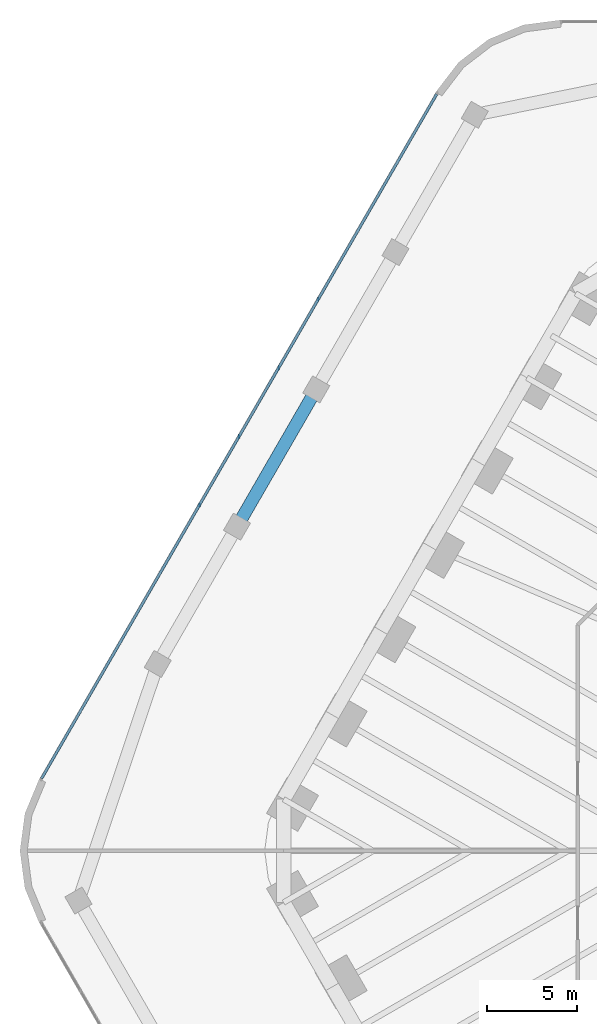
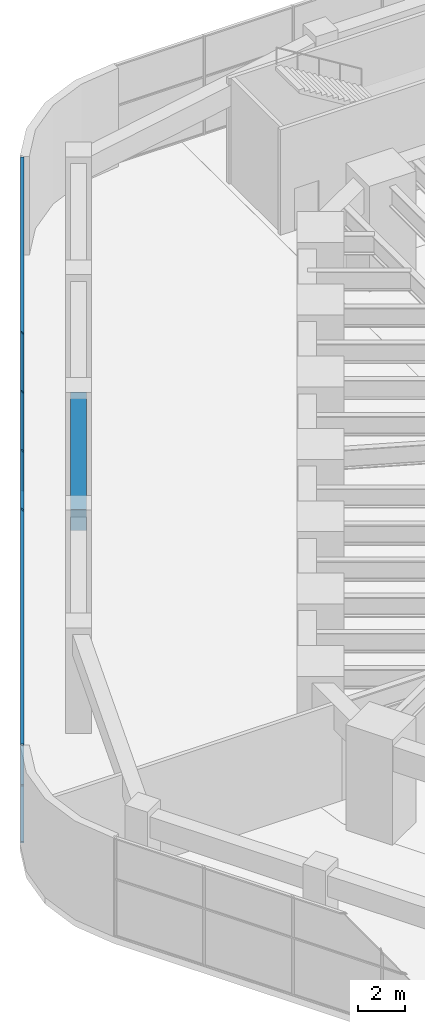
# One storey, part 15 of 31: 7 members, 1 beam, 1 element without a shape of its own.
"""IFC4 building model written with IfcOpenShell, lengths in metres."""

from ifc_helpers import new_model, si_unit, direction, frame, origin, origin_2d, place, context, subcontext, project, spatial, rectangle, extrude, material, material_profile, profile_set, type_object, element, aggregate, save


model = new_model("IFC4")

# Units and contexts
model_context = context("Model", 3, precision=1e-05, world=origin(), true_north=direction((0.0, 1.0)))
body_context = subcontext(model_context, "Body", "Model", "MODEL_VIEW")
ifc_project = project(units=[si_unit("LENGTHUNIT", "METRE"), si_unit("AREAUNIT", "SQUARE_METRE"), si_unit("VOLUMEUNIT", "CUBIC_METRE"), si_unit("PLANEANGLEUNIT", "RADIAN"), si_unit("MASSUNIT", "GRAM", prefix="KILO")], contexts=[model_context])

# Site, building, storey
site_placement = place(None, origin())
site = spatial("IfcSite", under=ifc_project, at=site_placement, CompositionType="ELEMENT")
building_placement = place(site_placement, origin())
building = spatial("IfcBuilding", under=site, at=building_placement, Name="Tarfa Lantern Tower", CompositionType="ELEMENT")
storey_placement = place(building_placement, frame((0.0, 0.0, 13.0)))
storey = spatial("IfcBuildingStorey", under=building, at=storey_placement, Name="L02", CompositionType="ELEMENT", Elevation=13.0)

# Curtain wall, members
ifc_material_1 = material(Name="Aluminium framed curtain wall", Category="aluminium")
curtain_wall_type = type_object("IfcCurtainWallType", Name="CW7 PODIUM GLAZING 5150", PredefinedType="USERDEFINED", material=ifc_material_1)
curtain_wall_placement = place(storey_placement, origin())
curtain_wall = element("IfcCurtainWall", 1, at=curtain_wall_placement, inside=storey, type_object=curtain_wall_type, Name="CW7 NW L02", ObjectType="CURTAIN WALL", PredefinedType="USERDEFINED")
ifc_material_2 = material(Name="Aluminium mullion", Category="aluminium")
ifc_material_profile_1 = material_profile(ifc_material_2, rectangle(XDim=0.06494140625, YDim=0.199951171875, at=origin_2d()), Name="AL MULLION 65x200")
ifc_profile_set_1 = profile_set([ifc_material_profile_1], Name="Aluminium mullion")
member_type_1 = type_object("IfcMemberType", Name="CWM1 MULLION 65x200", PredefinedType="MULLION", material=ifc_profile_set_1)
member_1_placement = place(storey_placement, frame((-35.36279296875, 30.550048828125, 0.0), z_axis=(0.0, 0.0, 1.0), x_axis=(1.0, 0.0, 0.0)))
member_1 = element("IfcMember", 2, at=member_1_placement, type_object=member_type_1, Name="CW7 mullion 4", PredefinedType="MULLION", context=body_context, shape_type="SweptSolid", body=[
    extrude(rectangle(XDim=0.06494140625, YDim=0.199951171875, at=origin_2d()), origin(), (0.0, 0.0, 1.0), 5.14990234375),
])
member_2_placement = place(storey_placement, frame((-37.556640625, 26.75, 0.0), z_axis=(0.0, 0.0, 1.0), x_axis=(1.0, 0.0, 0.0)))
member_2 = element("IfcMember", 3, at=member_2_placement, type_object=member_type_1, Name="CW7 mullion 5", PredefinedType="MULLION", context=body_context, shape_type="SweptSolid", body=[
    extrude(rectangle(XDim=0.06494140625, YDim=0.199951171875, at=origin_2d()), origin(), (0.0, 0.0, 1.0), 5.14990234375),
])
member_3_placement = place(storey_placement, frame((-39.75048828125, 22.949951171875, 0.0), z_axis=(0.0, 0.0, 1.0), x_axis=(1.0, 0.0, 0.0)))
member_3 = element("IfcMember", 4, at=member_3_placement, type_object=member_type_1, Name="CW7 mullion 6", PredefinedType="MULLION", context=body_context, shape_type="SweptSolid", body=[
    extrude(rectangle(XDim=0.06494140625, YDim=0.199951171875, at=origin_2d()), origin(), (0.0, 0.0, 1.0), 5.14990234375),
])
member_4_placement = place(storey_placement, frame((-41.944580078125, 19.14990234375, 0.0), z_axis=(0.0, 0.0, 1.0), x_axis=(1.0, 0.0, 0.0)))
member_4 = element("IfcMember", 5, at=member_4_placement, type_object=member_type_1, Name="CW7 mullion 7", PredefinedType="MULLION", context=body_context, shape_type="SweptSolid", body=[
    extrude(rectangle(XDim=0.06494140625, YDim=0.199951171875, at=origin_2d()), origin(), (0.0, 0.0, 1.0), 5.14990234375),
])
ifc_material_3 = material(Name="Aluminium transom", Category="aluminium")
ifc_material_profile_2 = material_profile(ifc_material_3, rectangle(XDim=0.14990234375, YDim=0.06494140625, at=origin_2d()), Name="AL TRANSOM 150x65")
ifc_profile_set_2 = profile_set([ifc_material_profile_2], Name="Aluminium transom")
member_type_2 = type_object("IfcMemberType", Name="CWT1 TRANSOM 150x65", PredefinedType="USERDEFINED", material=ifc_profile_set_2)
member_5_placement = place(storey_placement, frame((-28.8134765625, 41.893798828125, 0.032470703125), z_axis=(-0.499998927597, -0.866026022936, 0.0), x_axis=(0.866026022936, -0.499998927597, 0.0)))
member_5 = element("IfcMember", 6, at=member_5_placement, type_object=member_type_2, Name="CW7 transom 1.1", ObjectType="TRANSOM", PredefinedType="USERDEFINED", context=body_context, shape_type="SweptSolid", body=[
    extrude(rectangle(XDim=0.14990234375, YDim=0.06494140625, at=origin_2d()), origin(), (0.0, 0.0, 1.0), 43.74853515625),
])
member_6_placement = place(storey_placement, frame((-28.8134765625, 41.893798828125, 3.0), z_axis=(-0.499998927597, -0.866026022936, 0.0), x_axis=(0.866026022936, -0.499998927597, 0.0)))
member_6 = element("IfcMember", 7, at=member_6_placement, type_object=member_type_2, Name="CW7 transom 1.2", ObjectType="TRANSOM", PredefinedType="USERDEFINED", context=body_context, shape_type="SweptSolid", body=[
    extrude(rectangle(XDim=0.14990234375, YDim=0.06494140625, at=origin_2d()), origin(), (0.0, 0.0, 1.0), 43.74853515625),
])
member_7_placement = place(storey_placement, frame((-28.8134765625, 41.893798828125, 5.117431640625), z_axis=(-0.499998927597, -0.866026022936, 0.0), x_axis=(0.866026022936, -0.499998927597, 0.0)))
member_7 = element("IfcMember", 8, at=member_7_placement, type_object=member_type_2, Name="CW7 transom 1.3", ObjectType="TRANSOM", PredefinedType="USERDEFINED", context=body_context, shape_type="SweptSolid", body=[
    extrude(rectangle(XDim=0.14990234375, YDim=0.06494140625, at=origin_2d()), origin(), (0.0, 0.0, 1.0), 43.74853515625),
])
aggregate(curtain_wall, [member_1, member_2, member_3, member_4, member_5, member_6, member_7])

# Beam
ifc_material_4 = material(Name="Concrete C80/95", Category="concrete")
ifc_material_profile_3 = material_profile(ifc_material_4, rectangle(XDim=0.699951171875, YDim=1.10009765625, at=origin_2d()), Name="RC 700x1100")
ifc_profile_set_3 = profile_set([ifc_material_profile_3], Name="Concrete C80/95")
beam_type = type_object("IfcBeamType", Name="PB1 RC 700x1100", PredefinedType="BEAM", material=ifc_profile_set_3)
beam_placement = place(storey_placement, frame((-35.478271484375, 25.550048828125, 4.60009765625), z_axis=(-0.499980931779, -0.866036412547, 0.0), x_axis=(0.866036412547, -0.499980931779, 0.0)))
element("IfcBeam", 9, at=beam_placement, inside=storey, type_object=beam_type, Name="Podium ring beam NW2", PredefinedType="BEAM", context=body_context, shape_type="SweptSolid", body=[
    extrude(rectangle(XDim=0.699951171875, YDim=1.10009765625, at=origin_2d()), origin(), (0.0, 0.0, 1.0), 8.775634765625),
])

save(model, "model.ifc")
